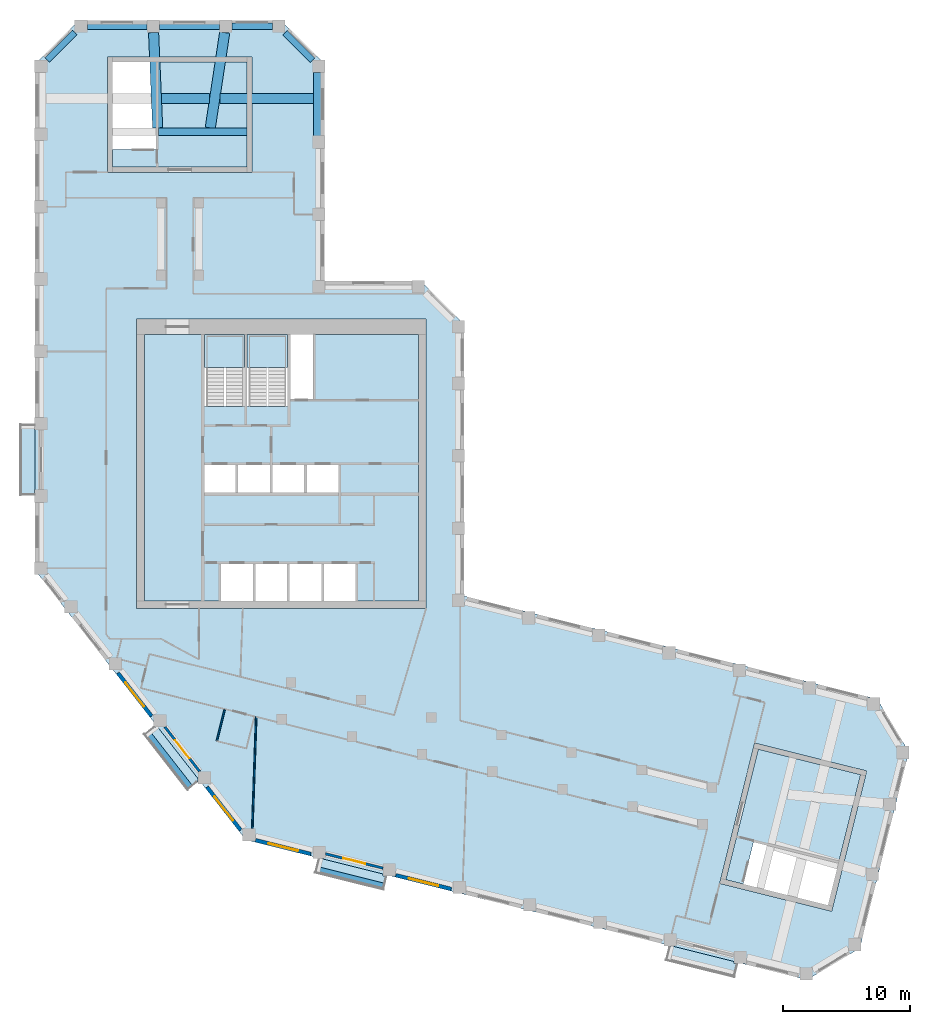
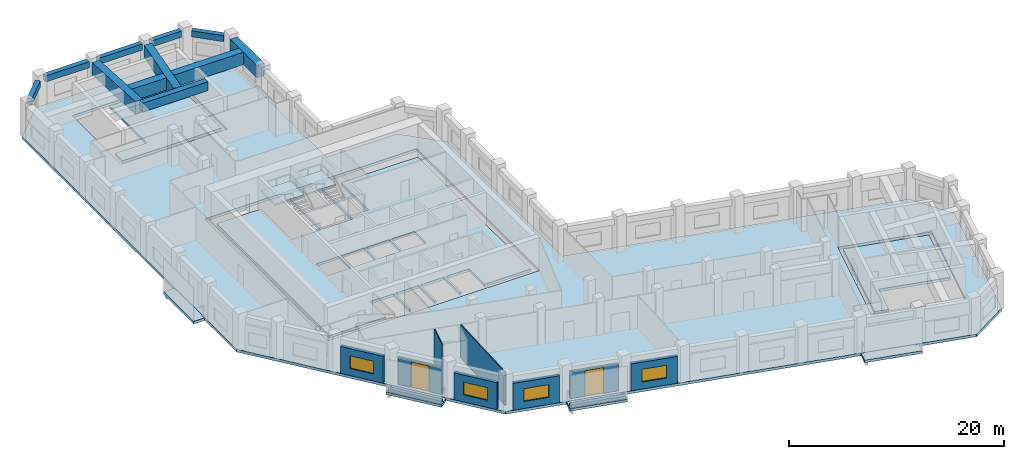
# One storey, part 2 of 9: 11 beams, 10 slabs, 10 walls, 4 windows, 2 doors, 6 openings, 2 elements without a shape of their own.
"""IFC4 building model written with IfcOpenShell, lengths in metres."""

from ifc_helpers import new_model, si_unit, direction, frame, frame_2d, origin, origin_2d, place, context, subcontext, project, spatial, polyline, rectangle, outline, extrude, material, layer, layer_set, material_profile, profile_set, type_object, element, fill, aggregate, save


model = new_model("IFC4")

# Units and contexts
model_context = context("Model", 3, precision=1e-05, world=origin(), true_north=direction((0.0, 1.0)))
body_context = subcontext(model_context, "Body", "Model", "MODEL_VIEW")
ifc_project = project(units=[si_unit("LENGTHUNIT", "METRE"), si_unit("AREAUNIT", "SQUARE_METRE"), si_unit("VOLUMEUNIT", "CUBIC_METRE"), si_unit("PLANEANGLEUNIT", "RADIAN"), si_unit("MASSUNIT", "GRAM", prefix="KILO")], contexts=[model_context])

# Site, building, storey
site_placement = place(None, origin())
site = spatial("IfcSite", under=ifc_project, at=site_placement, CompositionType="ELEMENT")
building_placement = place(site_placement, origin())
building = spatial("IfcBuilding", under=site, at=building_placement, Name="Meshkara Civic Tower", CompositionType="ELEMENT")
storey_placement = place(building_placement, frame((0.0, 0.0, 344.39990234375)))
storey = spatial("IfcBuildingStorey", under=building, at=storey_placement, Name="L79", CompositionType="ELEMENT", Elevation=344.39990234375)

# Beams
ifc_material_1 = material(Name="Concrete C60", Category="concrete")
ifc_material_profile_1 = material_profile(ifc_material_1, rectangle(XDim=0.60009765625, YDim=1.0, at=origin_2d()))
ifc_profile_set_1 = profile_set([ifc_material_profile_1], Name="Concrete C60")
beam_type_1 = type_object("IfcBeamType", Name="Core transfer beam RC 600x1000 C60", PredefinedType="BEAM", material=ifc_profile_set_1)
beam_1_placement = place(storey_placement, frame((9.699951171875, 51.669921875, 3.25), z_axis=(1.0, 0.0, 0.0), x_axis=(0.0, 1.0, 0.0)))
element("IfcBeam", 1, at=beam_1_placement, inside=storey, type_object=beam_type_1, Name="Transfer beam A L80 tip-side wall", PredefinedType="BEAM", context=body_context, shape_type="SweptSolid", body=[
    extrude(rectangle(XDim=0.60009765625, YDim=1.0, at=origin_2d()), origin(), (0.0, 0.0, 1.0), 7.0),
])
ifc_material_2 = material(Name="Concrete C50", Category="concrete")
ifc_material_profile_2 = material_profile(ifc_material_2, rectangle(XDim=0.5, YDim=0.699951171875, at=origin_2d()))
ifc_profile_set_2 = profile_set([ifc_material_profile_2], Name="Concrete C50")
beam_type_2 = type_object("IfcBeamType", Name="Spandrel beam RC 500x700 C50", PredefinedType="BEAM", material=ifc_profile_set_2)
beam_2_placement = place(storey_placement, frame((21.853515625, 57.310546875, 3.400146484375), z_axis=(-0.707146686758, 0.707066873363, 0.0), x_axis=(-0.707066873363, -0.707146686758, 0.0)))
element("IfcBeam", 2, at=beam_2_placement, inside=storey, type_object=beam_type_2, Name="Spandrel beam AEEP4-ATiEP4", PredefinedType="BEAM", context=body_context, shape_type="SweptSolid", body=[
    extrude(rectangle(XDim=0.5, YDim=0.699951171875, at=origin_2d()), origin(), (0.0, 0.0, 1.0), 3.058837890625),
])
beam_3_placement = place(storey_placement, frame((18.698974609375, 59.969970703125, 3.400146484375), z_axis=(-1.0, 0.0, 0.0), x_axis=(0.0, -1.0, 0.0)))
element("IfcBeam", 3, at=beam_3_placement, inside=storey, type_object=beam_type_2, Name="Spandrel beam AT02-P4-ATiEP4", PredefinedType="BEAM", context=body_context, shape_type="SweptSolid", body=[
    extrude(rectangle(XDim=0.5, YDim=0.699951171875, at=origin_2d()), origin(), (0.0, 0.0, 1.0), 3.197998046875),
])
for number, where, z_axis, x_axis, name in (
    (4, (14.510986328125, 59.969970703125, 3.400146484375), (-1.0, 0.0, 0.0), (0.0, -1.0, 0.0), "Spandrel beam AT01-P4-AT02-P4"),
    (5, (8.81103515625, 59.969970703125, 3.400146484375), (-1.0, 0.0, 0.0), (0.0, -1.0, 0.0), "Spandrel beam AT00-P4-AT01-P4"),
):
    element("IfcBeam", number, at=place(storey_placement, frame(where, z_axis=z_axis, x_axis=x_axis)), inside=storey, type_object=beam_type_2, Name=name, PredefinedType="BEAM", context=body_context, shape_type="SweptSolid", body=[
        extrude(rectangle(XDim=0.5, YDim=0.699951171875, at=origin_2d()), origin(), (0.0, 0.0, 1.0), 4.7099609375),
    ])
beam_4_placement = place(storey_placement, frame((3.109619140625, 59.473388671875, 3.400146484375), z_axis=(-0.707146686758, -0.707066873363, 0.0), x_axis=(0.707066873363, -0.707146686758, 0.0)))
element("IfcBeam", 6, at=beam_4_placement, inside=storey, type_object=beam_type_2, Name="Spandrel beam AT00-P4-ATo00-P4", PredefinedType="BEAM", context=body_context, shape_type="SweptSolid", body=[
    extrude(rectangle(XDim=0.5, YDim=0.699951171875, at=origin_2d()), origin(), (0.0, 0.0, 1.0), 3.058837890625),
])
ifc_material_3 = material(Name="Concrete C70", Category="concrete")
ifc_material_profile_3 = material_profile(ifc_material_3, rectangle(XDim=0.800048828125, YDim=1.39990234375, at=origin_2d()))
ifc_profile_set_3 = profile_set([ifc_material_profile_3], Name="Concrete C70")
beam_type_3 = type_object("IfcBeamType", Name="Transfer girder RC 800x1400 C70", PredefinedType="BEAM", material=ifc_profile_set_3)
beam_5_placement = place(storey_placement, frame((22.35009765625, 51.344970703125, 3.050048828125), z_axis=(0.0, 1.0, 0.0), x_axis=(-1.0, 0.0, 0.0)))
element("IfcBeam", 7, at=beam_5_placement, inside=storey, type_object=beam_type_3, Name="Transfer girder AE02-AEEP4", PredefinedType="BEAM", context=body_context, shape_type="SweptSolid", body=[
    extrude(rectangle(XDim=0.800048828125, YDim=1.39990234375, at=origin_2d()), origin(), (0.0, 0.0, 1.0), 4.97412109375),
])
beam_6_placement = place(storey_placement, frame((9.6474609375, 51.969970703125, 3.050048828125), z_axis=(-0.042640340881, 0.999090487058, 0.0), x_axis=(-0.999090487058, -0.042640340881, 0.0)))
element("IfcBeam", 8, at=beam_6_placement, inside=storey, type_object=beam_type_3, Name="Transfer girder AT01-P4-SA1-05", PredefinedType="BEAM", context=body_context, shape_type="SweptSolid", body=[
    extrude(rectangle(XDim=0.800048828125, YDim=1.39990234375, at=origin_2d()), origin(), (0.0, 0.0, 1.0), 7.511962890625),
])
beam_7_placement = place(storey_placement, frame((13.795654296875, 51.969970703125, 3.050048828125), z_axis=(0.149598614633, 0.988746810109, 0.0), x_axis=(-0.988746810109, 0.149598614633, 0.0)))
element("IfcBeam", 9, at=beam_7_placement, inside=storey, type_object=beam_type_3, Name="Transfer girder AT02-P4-SA2-05", PredefinedType="BEAM", context=body_context, shape_type="SweptSolid", body=[
    extrude(rectangle(XDim=0.800048828125, YDim=1.39990234375, at=origin_2d()), origin(), (0.0, 0.0, 1.0), 7.59033203125),
])
beam_8_placement = place(storey_placement, frame((9.94921875, 54.27001953125, 3.050048828125), z_axis=(1.0, 0.0, 0.0), x_axis=(0.0, 1.0, 0.0)))
element("IfcBeam", 10, at=beam_8_placement, inside=storey, type_object=beam_type_3, Name="Transfer girder tip A L80", PredefinedType="BEAM", context=body_context, shape_type="SweptSolid", body=[
    extrude(rectangle(XDim=0.800048828125, YDim=1.39990234375, at=origin_2d()), origin(), (0.0, 0.0, 1.0), 3.79443359375),
])
beam_9_placement = place(storey_placement, frame((14.543701171875, 54.27001953125, 3.050048828125), z_axis=(1.0, 0.0, 0.0), x_axis=(0.0, 1.0, 0.0)))
element("IfcBeam", 11, at=beam_9_placement, inside=storey, type_object=beam_type_3, Name="Transfer girder tip A L80", PredefinedType="BEAM", context=body_context, shape_type="SweptSolid", body=[
    extrude(rectangle(XDim=0.800048828125, YDim=1.39990234375, at=origin_2d()), origin(), (0.0, 0.0, 1.0), 7.40625),
])

# Slabs
ifc_material_4 = material(Name="Concrete C40", Category="concrete")
ifc_layer_1 = layer(ifc_material_4, 0.300048828125)
ifc_layer_set_1 = layer_set([ifc_layer_1], Name="BALCONY SLAB")
slab_type_1 = type_object("IfcSlabType", Name="BALCONY SLAB", PredefinedType="FLOOR", material=ifc_layer_set_1)
slab_1_placement = place(storey_placement, frame((0.0, 0.0, -0.2998046875)))
element("IfcSlab", 12, at=slab_1_placement, inside=storey, type_object=slab_type_1, Name="Balcony slab", PredefinedType="FLOOR", context=body_context, shape_type="SweptSolid", body=[
    extrude(outline(polyline([(-1.199951171875, 23.014892578125), (-1.199951171875, 28.594970703125), (-0.050048828125, 28.594970703125), (-0.050048828125, 28.155029296875), (0.0, 28.155029296875), (0.0, 23.455078125), (-0.050048828125, 23.455078125), (-0.050048828125, 23.014892578125), (-1.199951171875, 23.014892578125)])), origin(), (0.0, 0.0, 1.0), 0.2998046875),
])
slab_2_placement = place(storey_placement, frame((0.0, 0.0, -0.2998046875)))
element("IfcSlab", 13, at=slab_2_placement, inside=storey, type_object=slab_type_1, Name="Balcony slab", PredefinedType="FLOOR", context=body_context, shape_type="SweptSolid", body=[
    extrude(outline(polyline([(12.0048828125, -0.215087890625), (8.570068359375, 4.181884765625), (9.3330078125, 4.778076171875), (9.3330078125, 4.7451171875), (9.653076171875, 4.7451171875), (12.842041015625, 0.6630859375), (12.842041015625, 0.43994140625), (12.0048828125, -0.215087890625)])), origin(), (0.0, 0.0, 1.0), 0.2998046875),
])
slab_3_placement = place(storey_placement, frame((0.0, 0.0, -0.2998046875)))
element("IfcSlab", 14, at=slab_3_placement, inside=storey, type_object=slab_type_1, Name="Balcony slab", PredefinedType="FLOOR", context=body_context, shape_type="SweptSolid", body=[
    extrude(outline(polyline([(27.455078125, -8.08203125), (22.041015625, -6.73193359375), (22.319091796875, -5.616943359375), (22.528076171875, -5.616943359375), (27.412109375, -6.8349609375), (27.412109375, -6.99609375), (27.72509765625, -6.99609375), (27.455078125, -8.08203125)])), origin(), (0.0, 0.0, 1.0), 0.2998046875),
])
slab_4_placement = place(storey_placement, frame((0.0, 0.0, -0.2998046875)))
element("IfcSlab", 15, at=slab_4_placement, inside=storey, type_object=slab_type_1, Name="Balcony slab", PredefinedType="FLOOR", context=body_context, shape_type="SweptSolid", body=[
    extrude(outline(polyline([(55.10791015625, -14.97705078125), (49.694091796875, -13.626953125), (49.971923828125, -12.511962890625), (50.181884765625, -12.511962890625), (55.06591796875, -13.72998046875), (55.06591796875, -13.889892578125), (55.37890625, -13.889892578125), (55.10791015625, -14.97705078125)])), origin(), (0.0, 0.0, 1.0), 0.2998046875),
])
ifc_material_5 = material(Name="Concrete C40/50", Category="concrete")
ifc_layer_2 = layer(ifc_material_5, 0.300048828125)
ifc_layer_set_2 = layer_set([ifc_layer_2], Name="Core floor slab 300 C40/50")
slab_type_2 = type_object("IfcSlabType", Name="Core floor slab 300 C40/50", PredefinedType="FLOOR", material=ifc_layer_set_2)
slab_5_placement = place(storey_placement, frame((0.0, 0.0, -0.2998046875)))
element("IfcSlab", 16, at=slab_5_placement, inside=storey, type_object=slab_type_2, Name="Core floor K", PredefinedType="FLOOR", context=body_context, shape_type="SweptSolid", body=[
    extrude(outline(polyline([(8.60009765625, 35.699951171875), (13.35009765625, 35.699951171875), (13.35009765625, 30.00146484375), (16.5, 30.00146484375), (16.5, 35.699951171875), (16.699951171875, 35.699951171875), (16.699951171875, 30.00146484375), (19.89990234375, 30.00146484375), (19.89990234375, 35.699951171875), (20.10009765625, 35.699951171875), (20.10009765625, 30.574951171875), (21.925048828125, 30.574951171875), (21.925048828125, 35.699951171875), (30.199951171875, 35.699951171875), (30.199951171875, 14.699951171875), (25.25, 14.699951171875), (25.25, 17.60009765625), (22.75, 17.60009765625), (22.75, 14.699951171875), (22.550048828125, 14.699951171875), (22.550048828125, 17.60009765625), (20.050048828125, 17.60009765625), (20.050048828125, 14.699951171875), (19.85009765625, 14.699951171875), (19.85009765625, 17.60009765625), (17.35009765625, 17.60009765625), (17.35009765625, 14.699951171875), (17.14990234375, 14.699951171875), (17.14990234375, 17.60009765625), (14.64990234375, 17.60009765625), (14.64990234375, 14.699951171875), (8.60009765625, 14.699951171875), (8.60009765625, 35.699951171875)]), holes=[polyline([(13.35009765625, 23.25), (15.800048828125, 23.25), (15.800048828125, 25.39990234375), (13.35009765625, 25.39990234375), (13.35009765625, 23.25)]), polyline([(18.5, 23.25), (18.5, 25.39990234375), (16.0, 25.39990234375), (16.0, 23.25), (18.5, 23.25)]), polyline([(18.699951171875, 23.25), (21.199951171875, 23.25), (21.199951171875, 25.39990234375), (18.699951171875, 25.39990234375), (18.699951171875, 23.25)]), polyline([(23.89990234375, 23.25), (23.89990234375, 25.39990234375), (21.39990234375, 25.39990234375), (21.39990234375, 23.25), (23.89990234375, 23.25)])]), origin(), (0.0, 0.0, 1.0), 0.2998046875),
])
slab_6_placement = place(storey_placement, frame((0.0, 0.0, -0.2998046875)))
element("IfcSlab", 17, at=slab_6_placement, inside=storey, type_object=slab_type_2, Name="Core floor EA", PredefinedType="FLOOR", context=body_context, shape_type="SweptSolid", body=[
    extrude(outline(polyline([(16.699951171875, 48.8701171875), (16.699951171875, 57.169921875), (9.5, 57.169921875), (9.5, 50.271484375), (6.10009765625, 50.271484375), (6.10009765625, 48.8701171875), (16.699951171875, 48.8701171875)])), origin(), (0.0, 0.0, 1.0), 0.2998046875),
])
slab_7_placement = place(storey_placement, frame((0.0, 0.0, -0.2998046875)))
element("IfcSlab", 18, at=slab_7_placement, inside=storey, type_object=slab_type_2, Name="Core floor EB", PredefinedType="FLOOR", context=body_context, shape_type="SweptSolid", body=[
    extrude(outline(polyline([(56.989013671875, 3.002197265625), (65.04248046875, 0.994384765625), (63.30078125, -5.99169921875), (56.607177734375, -4.322998046875), (55.78466796875, -7.621826171875), (54.4248046875, -7.282958984375), (56.989013671875, 3.002197265625)])), origin(), (0.0, 0.0, 1.0), 0.2998046875),
])

# Stair, slab
ifc_material_6 = material(Name="Precast concrete C40/50", Category="concrete")
stair_type = type_object("IfcStairType", Name="Exit stair half-turn 24 risers precast", PredefinedType="HALF_TURN_STAIR", material=ifc_material_6)
stair_1_placement = place(storey_placement, origin())
stair_1 = element("IfcStair", 19, at=stair_1_placement, inside=storey, type_object=stair_type, Name="L79 exit stair 1", PredefinedType="HALF_TURN_STAIR")
ifc_material_7 = material(Name="Precast concrete C40/50", Category="concrete")
ifc_layer_3 = layer(ifc_material_7, 0.199951171875)
ifc_layer_set_3 = layer_set([ifc_layer_3], Name="Exit stair landing 200")
slab_type_3 = type_object("IfcSlabType", Name="Exit stair landing 200", PredefinedType="LANDING", material=ifc_layer_set_3)
slab_8_placement = place(storey_placement, frame((0.0, 0.0, 1.900146484375)))
slab_8 = element("IfcSlab", 20, at=slab_8_placement, type_object=slab_type_3, Name="ST1 landing 1", PredefinedType="LANDING", context=body_context, shape_type="SweptSolid", body=[
    extrude(outline(polyline([(16.5, 33.07861328125), (16.5, 35.699951171875), (13.35009765625, 35.699951171875), (13.35009765625, 33.07861328125), (16.5, 33.07861328125)])), origin(), (0.0, 0.0, 1.0), 0.199951171875),
])
aggregate(stair_1, [slab_8])

stair_2_placement = place(storey_placement, origin())
stair_2 = element("IfcStair", 21, at=stair_2_placement, inside=storey, type_object=stair_type, Name="L79 exit stair 2", PredefinedType="HALF_TURN_STAIR")
slab_9_placement = place(storey_placement, frame((0.0, 0.0, 1.900146484375)))
slab_9 = element("IfcSlab", 22, at=slab_9_placement, type_object=slab_type_3, Name="ST2 landing 1", PredefinedType="LANDING", context=body_context, shape_type="SweptSolid", body=[
    extrude(outline(polyline([(19.89990234375, 33.07861328125), (19.89990234375, 35.699951171875), (16.699951171875, 35.699951171875), (16.699951171875, 33.07861328125), (19.89990234375, 33.07861328125)])), origin(), (0.0, 0.0, 1.0), 0.199951171875),
])
aggregate(stair_2, [slab_9])

# Slab
ifc_material_8 = material(Name="Concrete C50", Category="concrete")
ifc_layer_4 = layer(ifc_material_8, 0.300048828125)
ifc_layer_set_4 = layer_set([ifc_layer_4], Name="Post-tensioned flat slab 300 C50")
slab_type_4 = type_object("IfcSlabType", Name="Post-tensioned flat slab 300 C50", PredefinedType="FLOOR", material=ifc_layer_set_4)
slab_10_placement = place(storey_placement, frame((0.0, 0.0, -0.2998046875)))
element("IfcSlab", 23, at=slab_10_placement, inside=storey, type_object=slab_type_4, Name="Post-tensioned flat slab L79", PredefinedType="FLOOR", context=body_context, shape_type="SweptSolid", body=[
    extrude(outline(polyline([(64.98291015625, -12.677001953125), (60.837890625, -15.1689453125), (16.592041015625, -4.136962890625), (0.0, 17.10009765625), (0.0, 57.0), (3.419921875, 60.419921875), (19.3798828125, 60.419921875), (22.800048828125, 57.0), (22.800048828125, 39.89990234375), (30.3798828125, 39.89990234375), (33.800048828125, 36.47998046875), (33.800048828125, 15.071044921875), (66.35302734375, 6.9541015625), (68.843994140625, 2.80810546875), (64.98291015625, -12.677001953125)]), holes=[polyline([(62.77001953125, -9.77587890625), (65.527099609375, 1.285888671875), (56.697998046875, 3.487060546875), (53.93994140625, -7.573974609375), (62.77001953125, -9.77587890625)]), polyline([(8.0, 14.10009765625), (30.800048828125, 14.10009765625), (30.800048828125, 36.89990234375), (8.0, 36.89990234375), (8.0, 14.10009765625)]), polyline([(5.699951171875, 57.570068359375), (5.699951171875, 48.469970703125), (17.10009765625, 48.469970703125), (17.10009765625, 57.570068359375), (5.699951171875, 57.570068359375)])]), origin(), (0.0, 0.0, 1.0), 0.2998046875),
])

# Wall, opening, window
ifc_material_9 = material(Name="Insulated infill panel with bronze anodised aluminium cladding", Category="aluminium")
ifc_layer_5 = layer(ifc_material_9, 0.300048828125)
ifc_layer_set_5 = layer_set([ifc_layer_5], Name="EXTERNAL INFILL WALL 300")
wall_type_1 = type_object("IfcWallType", Name="EXTERNAL INFILL WALL 300", PredefinedType="SOLIDWALL", material=ifc_layer_set_5)
wall_1_placement = place(storey_placement, frame((6.51904296875, 9.0, 0.0), z_axis=(0.0, 0.0, 1.0), x_axis=(0.615634121154, -0.788032124263, 0.0)))
wall_1 = element("IfcWall", 24, at=wall_1_placement, inside=storey, type_object=wall_type_1, Name="External wall", PredefinedType="SOLIDWALL", context=body_context, shape_type="SweptSolid", body=[
    extrude(rectangle(XDim=4.298095703125, YDim=0.300048828125, at=frame_2d((2.14892578125, 0.0))), origin(), (0.0, 0.0, 1.0), 3.050048828125),
])
opening_1_placement = place(wall_1_placement, frame((0.948974609375, 0.0, 0.800048828125)))
opening_1 = element("IfcOpeningElement", 25, at=opening_1_placement, cuts=wall_1, Name="Opening W8", PredefinedType="OPENING", context=body_context, shape_type="SweptSolid", body=[
    extrude(rectangle(XDim=2.39990234375, YDim=1.449951171875, at=frame_2d((1.199951171875, 0.72509765625))), frame((0.0, 0.159912109375, 0.0), z_axis=(0.0, -1.0, 0.0), x_axis=(1.0, 0.0, 0.0)), (0.0, 0.0, 1.0), 0.320068359375),
])
ifc_material_10 = material(Name="Tinted double glazing", Category="glass")
window_type = type_object("IfcWindowType", Name="WINDOW 2400x1450", PartitioningType="DOUBLE_PANEL_VERTICAL", PredefinedType="WINDOW", material=ifc_material_10)
window_1_placement = place(opening_1_placement, origin())
window_1 = element("IfcWindow", 26, at=window_1_placement, inside=storey, type_object=window_type, Name="Window", OverallHeight=1.449951171875, OverallWidth=2.39990234375, PartitioningType="DOUBLE_PANEL_VERTICAL", PredefinedType="WINDOW", context=body_context, shape_type="SweptSolid", body=[
    extrude(rectangle(XDim=2.39990234375, YDim=1.449951171875, at=frame_2d((1.199951171875, 0.72509765625))), frame((0.0, 0.030029296875, 0.0), z_axis=(0.0, -1.0, 0.0), x_axis=(1.0, 0.0, 0.0)), (0.0, 0.0, 1.0), 0.06005859375),
])
fill(opening_1, window_1)

wall_2_placement = place(storey_placement, frame((13.5380859375, 0.01611328125, 0.0), z_axis=(0.0, 0.0, 1.0), x_axis=(0.615713519567, -0.787970089421, 0.0)))
wall_2 = element("IfcWall", 27, at=wall_2_placement, inside=storey, type_object=wall_type_1, Name="External wall", PredefinedType="SOLIDWALL", context=body_context, shape_type="SweptSolid", body=[
    extrude(rectangle(XDim=4.2958984375, YDim=0.300048828125, at=frame_2d((2.14794921875, 0.0))), origin(), (0.0, 0.0, 1.0), 3.050048828125),
])
opening_2_placement = place(wall_2_placement, frame((0.947998046875, 0.0, 0.800048828125)))
opening_2 = element("IfcOpeningElement", 28, at=opening_2_placement, cuts=wall_2, Name="Opening W8", PredefinedType="OPENING", context=body_context, shape_type="SweptSolid", body=[
    extrude(rectangle(XDim=2.39990234375, YDim=1.449951171875, at=frame_2d((1.199951171875, 0.72509765625))), frame((0.0, 0.159912109375, 0.0), z_axis=(0.0, -1.0, 0.0), x_axis=(1.0, 0.0, 0.0)), (0.0, 0.0, 1.0), 0.320068359375),
])
window_2_placement = place(opening_2_placement, origin())
window_2 = element("IfcWindow", 29, at=window_2_placement, inside=storey, type_object=window_type, Name="Window", OverallHeight=1.449951171875, OverallWidth=2.39990234375, PartitioningType="DOUBLE_PANEL_VERTICAL", PredefinedType="WINDOW", context=body_context, shape_type="SweptSolid", body=[
    extrude(rectangle(XDim=2.39990234375, YDim=1.449951171875, at=frame_2d((1.199951171875, 0.72509765625))), frame((0.0, 0.030029296875, 0.0), z_axis=(0.0, -1.0, 0.0), x_axis=(1.0, 0.0, 0.0)), (0.0, 0.0, 1.0), 0.06005859375),
])
fill(opening_2, window_2)

wall_3_placement = place(storey_placement, frame((17.366943359375, -4.176025390625, 0.0), z_axis=(0.0, 0.0, 1.0), x_axis=(0.970327846266, -0.241793032904, 0.0)))
wall_3 = element("IfcWall", 30, at=wall_3_placement, inside=storey, type_object=wall_type_1, Name="External wall", PredefinedType="SOLIDWALL", context=body_context, shape_type="SweptSolid", body=[
    extrude(rectangle(XDim=4.487060546875, YDim=0.300048828125, at=frame_2d((2.24365234375, 0.0))), origin(), (0.0, 0.0, 1.0), 3.050048828125),
])
opening_3_placement = place(wall_3_placement, frame((1.0439453125, 0.0, 0.800048828125)))
opening_3 = element("IfcOpeningElement", 31, at=opening_3_placement, cuts=wall_3, Name="Opening W8", PredefinedType="OPENING", context=body_context, shape_type="SweptSolid", body=[
    extrude(rectangle(XDim=2.39990234375, YDim=1.449951171875, at=frame_2d((1.199951171875, 0.72509765625))), frame((0.0, 0.159912109375, 0.0), z_axis=(0.0, -1.0, 0.0), x_axis=(1.0, 0.0, 0.0)), (0.0, 0.0, 1.0), 0.320068359375),
])
window_3_placement = place(opening_3_placement, origin())
window_3 = element("IfcWindow", 32, at=window_3_placement, inside=storey, type_object=window_type, Name="Window", OverallHeight=1.449951171875, OverallWidth=2.39990234375, PartitioningType="DOUBLE_PANEL_VERTICAL", PredefinedType="WINDOW", context=body_context, shape_type="SweptSolid", body=[
    extrude(rectangle(XDim=2.39990234375, YDim=1.449951171875, at=frame_2d((1.199951171875, 0.72509765625))), frame((0.0, 0.030029296875, 0.0), z_axis=(0.0, -1.0, 0.0), x_axis=(1.0, 0.0, 0.0)), (0.0, 0.0, 1.0), 0.06005859375),
])
fill(opening_3, window_3)

wall_4_placement = place(storey_placement, frame((28.427978515625, -6.93310546875, 0.0), z_axis=(0.0, 0.0, 1.0), x_axis=(0.970276766004, -0.241997928406, 0.0)))
wall_4 = element("IfcWall", 33, at=wall_4_placement, inside=storey, type_object=wall_type_1, Name="External wall", PredefinedType="SOLIDWALL", context=body_context, shape_type="SweptSolid", body=[
    extrude(rectangle(XDim=4.4873046875, YDim=0.300048828125, at=frame_2d((2.24365234375, 0.0))), origin(), (0.0, 0.0, 1.0), 3.050048828125),
])
opening_4_placement = place(wall_4_placement, frame((1.0439453125, 0.0, 0.800048828125)))
opening_4 = element("IfcOpeningElement", 34, at=opening_4_placement, cuts=wall_4, Name="Opening W8", PredefinedType="OPENING", context=body_context, shape_type="SweptSolid", body=[
    extrude(rectangle(XDim=2.39990234375, YDim=1.449951171875, at=frame_2d((1.199951171875, 0.72509765625))), frame((0.0, 0.159912109375, 0.0), z_axis=(0.0, -1.0, 0.0), x_axis=(1.0, 0.0, 0.0)), (0.0, 0.0, 1.0), 0.320068359375),
])
window_4_placement = place(opening_4_placement, origin())
window_4 = element("IfcWindow", 35, at=window_4_placement, inside=storey, type_object=window_type, Name="Window", OverallHeight=1.449951171875, OverallWidth=2.39990234375, PartitioningType="DOUBLE_PANEL_VERTICAL", PredefinedType="WINDOW", context=body_context, shape_type="SweptSolid", body=[
    extrude(rectangle(XDim=2.39990234375, YDim=1.449951171875, at=frame_2d((1.199951171875, 0.72509765625))), frame((0.0, 0.030029296875, 0.0), z_axis=(0.0, -1.0, 0.0), x_axis=(1.0, 0.0, 0.0)), (0.0, 0.0, 1.0), 0.06005859375),
])
fill(opening_4, window_4)

# Wall, opening, door
ifc_material_11 = material(Name="Insulated infill panel with bronze anodised aluminium cladding", Category="aluminium")
ifc_layer_6 = layer(ifc_material_11, 0.199951171875)
ifc_layer_set_6 = layer_set([ifc_layer_6], Name="LOGGIA BACK WALL 200")
wall_type_2 = type_object("IfcWallType", Name="LOGGIA BACK WALL 200", PredefinedType="SOLIDWALL", material=ifc_layer_set_6)
wall_5_placement = place(storey_placement, frame((10.22412109375, 4.7451171875, 0.0), z_axis=(0.0, 0.0, 1.0), x_axis=(0.615545644418, -0.788101236922, 0.0)))
wall_5 = element("IfcWall", 36, at=wall_5_placement, inside=storey, type_object=wall_type_2, Name="Loggia wall", PredefinedType="SOLIDWALL", context=body_context, shape_type="SweptSolid", body=[
    extrude(rectangle(XDim=4.429931640625, YDim=0.199951171875, at=frame_2d((2.21484375, 0.0))), origin(), (0.0, 0.0, 1.0), 3.050048828125),
])
opening_5_placement = place(wall_5_placement, frame((1.31494140625, 0.0, 0.0)))
opening_5 = element("IfcOpeningElement", 37, at=opening_5_placement, cuts=wall_5, Name="Opening L79-L002", PredefinedType="OPENING", context=body_context, shape_type="SweptSolid", body=[
    extrude(rectangle(XDim=1.800048828125, YDim=2.89990234375, at=frame_2d((0.89990234375, 1.449951171875))), frame((0.0, 0.10986328125, 0.0), z_axis=(0.0, -1.0, 0.0), x_axis=(1.0, 0.0, 0.0)), (0.0, 0.0, 1.0), 0.219970703125),
])
ifc_material_12 = material(Name="Tinted double glazing", Category="glass")
door_type = type_object("IfcDoorType", Name="LOGGIA DOOR 1800x2900", OperationType="DOUBLE_DOOR_SINGLE_SWING", PredefinedType="DOOR", material=ifc_material_12)
door_1_placement = place(opening_5_placement, origin())
door_1 = element("IfcDoor", 38, at=door_1_placement, inside=storey, type_object=door_type, Name="L79-L002", OperationType="DOUBLE_DOOR_SINGLE_SWING", OverallHeight=2.89990234375, OverallWidth=1.800048828125, PredefinedType="DOOR", context=body_context, shape_type="SweptSolid", body=[
    extrude(rectangle(XDim=1.800048828125, YDim=2.89990234375, at=frame_2d((0.89990234375, 1.449951171875))), frame((0.0, 0.02490234375, 0.0), z_axis=(0.0, -1.0, 0.0), x_axis=(1.0, 0.0, 0.0)), (0.0, 0.0, 1.0), 0.050048828125),
])
fill(opening_5, door_1)

wall_6_placement = place(storey_placement, frame((22.882080078125, -5.241943359375, 0.0), z_axis=(0.0, 0.0, 1.0), x_axis=(0.970311449929, -0.241858822739, 0.0)))
wall_6 = element("IfcWall", 39, at=wall_6_placement, inside=storey, type_object=wall_type_2, Name="Loggia wall", PredefinedType="SOLIDWALL", context=body_context, shape_type="SweptSolid", body=[
    extrude(rectangle(XDim=4.668701171875, YDim=0.199951171875, at=frame_2d((2.33447265625, 0.0))), origin(), (0.0, 0.0, 1.0), 3.050048828125),
])
opening_6_placement = place(wall_6_placement, frame((1.43408203125, 0.0, 0.0)))
opening_6 = element("IfcOpeningElement", 40, at=opening_6_placement, cuts=wall_6, Name="Opening L79-L003", PredefinedType="OPENING", context=body_context, shape_type="SweptSolid", body=[
    extrude(rectangle(XDim=1.800048828125, YDim=2.89990234375, at=frame_2d((0.89990234375, 1.449951171875))), frame((0.0, 0.10986328125, 0.0), z_axis=(0.0, -1.0, 0.0), x_axis=(1.0, 0.0, 0.0)), (0.0, 0.0, 1.0), 0.219970703125),
])
door_2_placement = place(opening_6_placement, origin())
door_2 = element("IfcDoor", 41, at=door_2_placement, inside=storey, type_object=door_type, Name="L79-L003", OperationType="DOUBLE_DOOR_SINGLE_SWING", OverallHeight=2.89990234375, OverallWidth=1.800048828125, PredefinedType="DOOR", context=body_context, shape_type="SweptSolid", body=[
    extrude(rectangle(XDim=1.800048828125, YDim=2.89990234375, at=frame_2d((0.89990234375, 1.449951171875))), frame((0.0, 0.02490234375, 0.0), z_axis=(0.0, -1.0, 0.0), x_axis=(1.0, 0.0, 0.0)), (0.0, 0.0, 1.0), 0.050048828125),
])
fill(opening_6, door_2)

# Walls
ifc_material_13 = material(Name="Concrete C40", Category="concrete")
ifc_layer_7 = layer(ifc_material_13, 0.39990234375)
ifc_layer_set_7 = layer_set([ifc_layer_7], Name="PLANTER TRAY")
wall_type_3 = type_object("IfcWallType", Name="PLANTER TRAY", PredefinedType="SOLIDWALL", material=ifc_layer_set_7)
wall_7_placement = place(storey_placement, frame((8.889892578125, 4.2919921875, 0.0), z_axis=(0.0, 0.0, 1.0), x_axis=(0.615636085037, -0.788030590016, 0.0)))
element("IfcWall", 42, at=wall_7_placement, inside=storey, type_object=wall_type_3, Name="Planter", PredefinedType="SOLIDWALL", context=body_context, shape_type="SweptSolid", body=[
    extrude(rectangle(XDim=5.35888671875, YDim=0.39990234375, at=frame_2d((2.679443359375, 0.0))), origin(), (0.0, 0.0, 1.0), 0.300048828125),
])
wall_8_placement = place(storey_placement, frame((22.22509765625, -6.447998046875, 0.0), z_axis=(0.0, 0.0, 1.0), x_axis=(0.970268314528, -0.242031811592, 0.0)))
element("IfcWall", 43, at=wall_8_placement, inside=storey, type_object=wall_type_3, Name="Planter", PredefinedType="SOLIDWALL", context=body_context, shape_type="SweptSolid", body=[
    extrude(rectangle(XDim=5.359375, YDim=0.39990234375, at=frame_2d((2.6796875, 0.0))), origin(), (0.0, 0.0, 1.0), 0.300048828125),
])
ifc_material_14 = material(Name="Partition 100")
ifc_layer_8 = layer(ifc_material_14, 0.10009765625)
ifc_layer_set_8 = layer_set([ifc_layer_8], Name="Partition 100")
wall_type_4 = type_object("IfcWallType", Name="Partition 100", PredefinedType="PARTITIONING", material=ifc_layer_set_8)
wall_9_placement = place(storey_placement, frame((14.31201171875, 3.64501953125, 0.0), z_axis=(0.0, 0.0, 1.0), x_axis=(0.241972320765, 0.970283152478, 0.0)))
element("IfcWall", 44, at=wall_9_placement, inside=storey, type_object=wall_type_4, Name="L79-W044", PredefinedType="PARTITIONING", context=body_context, shape_type="SweptSolid", body=[
    extrude(rectangle(XDim=2.549560546875, YDim=0.10009765625, at=frame_2d((1.27490234375, 0.0))), origin(), (0.0, 0.0, 1.0), 3.75),
])
wall_10_placement = place(storey_placement, frame((17.10888671875, -3.238037109375, 0.0), z_axis=(0.0, 0.0, 1.0), x_axis=(0.034812219839, 0.999393870979, 0.0)))
element("IfcWall", 45, at=wall_10_placement, inside=storey, type_object=wall_type_4, Name="L79-W047", PredefinedType="PARTITIONING", context=body_context, shape_type="SweptSolid", body=[
    extrude(rectangle(XDim=8.79443359375, YDim=0.10009765625, at=frame_2d((4.397216796875, 0.0))), origin(), (0.0, 0.0, 1.0), 3.75),
])

save(model, "model.ifc")
